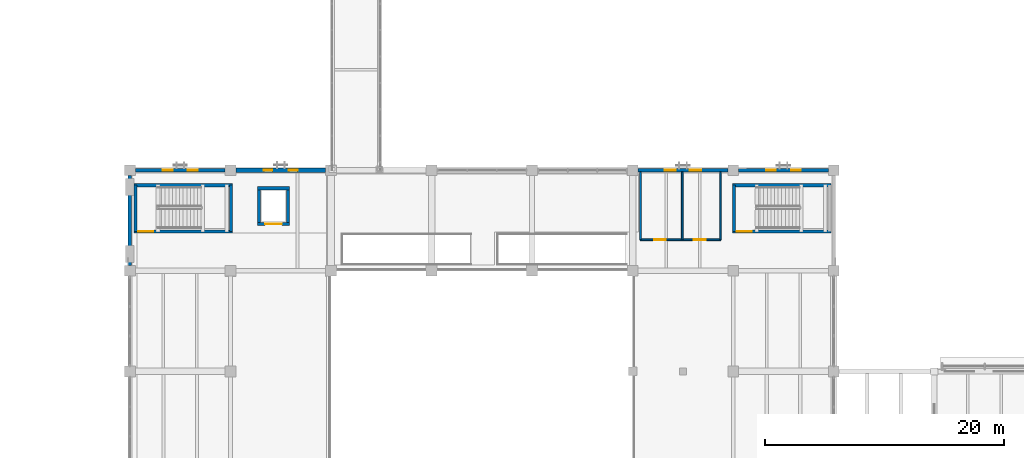
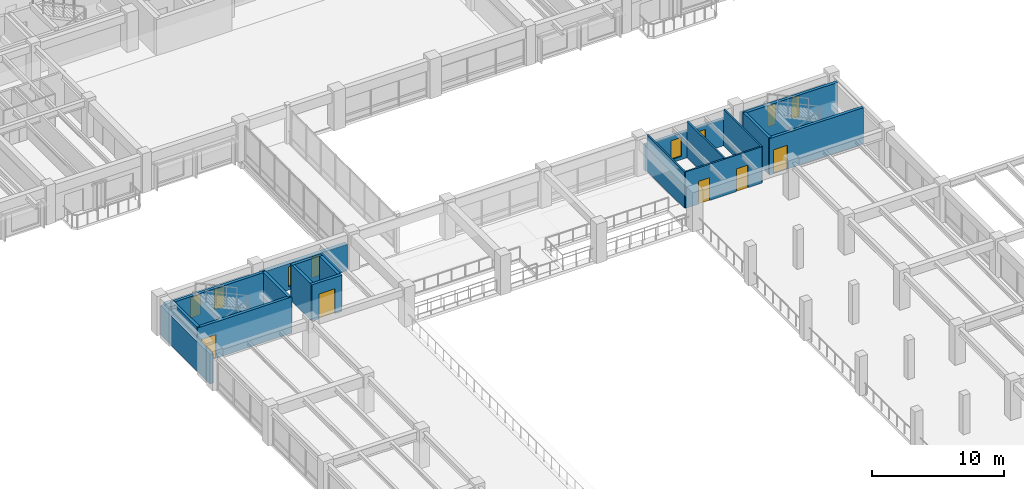
# One storey, part 66 of 118: 20 walls, 8 windows, 5 doors, 13 openings.
"""IFC4 building model written with IfcOpenShell, lengths in metres."""

from ifc_helpers import new_model, si_unit, direction, frame, frame_2d, origin, place, context, subcontext, project, spatial, rectangle, extrude, material, layer, layer_set, type_object, element, fill, save


model = new_model("IFC4")

# Units and contexts
model_context = context("Model", 3, precision=1e-05, world=origin(), true_north=direction((0.0, 1.0)))
body_context = subcontext(model_context, "Body", "Model", "MODEL_VIEW")
ifc_project = project(units=[si_unit("LENGTHUNIT", "METRE"), si_unit("AREAUNIT", "SQUARE_METRE"), si_unit("VOLUMEUNIT", "CUBIC_METRE"), si_unit("PLANEANGLEUNIT", "RADIAN"), si_unit("MASSUNIT", "GRAM", prefix="KILO")], contexts=[model_context])

# Site, building, storey
site_placement = place(None, origin())
site = spatial("IfcSite", under=ifc_project, at=site_placement, CompositionType="ELEMENT")
building_placement = place(site_placement, origin())
building = spatial("IfcBuilding", under=site, at=building_placement, Name="Cumbredor Promenade Congress Hotel", CompositionType="ELEMENT")
storey_placement = place(building_placement, frame((0.0, 0.0, 3.919921875)))
storey = spatial("IfcBuildingStorey", under=building, at=storey_placement, Name="L01", CompositionType="ELEMENT", Elevation=3.919921875)

# Wall, openings, windows
ifc_material_1 = material(Name="Concrete C40/50", Category="concrete")
ifc_layer_1 = layer(ifc_material_1, 0.260009765625, Name="Concrete C40/50", Category="concrete")
ifc_layer_set_1 = layer_set([ifc_layer_1], Name="Concrete C40/50")
wall_type_1 = type_object("IfcWallType", Name="WL-EXT-260", PredefinedType="SOLIDWALL", material=ifc_layer_set_1)
wall_1_placement = place(storey_placement, frame((50.85107421875, 67.199951171875, 0.0), z_axis=(0.0, 0.0, 1.0), x_axis=(1.0, 0.0, 0.0)))
wall_1 = element("IfcWall", 1, at=wall_1_placement, inside=storey, type_object=wall_type_1, Name="L01 Plenary Congress Hall North Envelope Wall 6", PredefinedType="SOLIDWALL", context=body_context, shape_type="SweptSolid", body=[
    extrude(rectangle(XDim=7.498046875, YDim=0.260009765625, at=frame_2d((3.7490234375, 0.0))), origin(), (0.0, 0.0, 1.0), 2.445068359375),
])
opening_1_placement = place(wall_1_placement, frame((2.239013671875, 0.0, 0.300048828125)))
opening_1 = element("IfcOpeningElement", 2, at=opening_1_placement, cuts=wall_1, Name="Opening WN-63", PredefinedType="OPENING", context=body_context, shape_type="SweptSolid", body=[
    extrude(rectangle(XDim=0.919921875, YDim=1.75, at=frame_2d((0.4599609375, 0.875))), frame((0.0, 0.14013671875, 0.0), z_axis=(0.0, -1.0, 0.0), x_axis=(1.0, 0.0, 0.0)), (0.0, 0.0, 1.0), 0.280029296875),
])
opening_2_placement = place(wall_1_placement, frame((4.339111328125, 0.0, 0.300048828125)))
opening_2 = element("IfcOpeningElement", 3, at=opening_2_placement, cuts=wall_1, Name="Opening WN-63", PredefinedType="OPENING", context=body_context, shape_type="SweptSolid", body=[
    extrude(rectangle(XDim=0.919921875, YDim=1.75, at=frame_2d((0.4599609375, 0.875))), frame((0.0, 0.14013671875, 0.0), z_axis=(0.0, -1.0, 0.0), x_axis=(1.0, 0.0, 0.0)), (0.0, 0.0, 1.0), 0.280029296875),
])
ifc_material_2 = material(Name="Thermally broken anodized aluminium and low-E glass", Category="aluminium")
window_type_1 = type_object("IfcWindowType", Name="Vertical Slot Window WN-63 920x1750", PartitioningType="SINGLE_PANEL", PredefinedType="WINDOW", material=ifc_material_2)
window_1_placement = place(opening_1_placement, origin())
window_1 = element("IfcWindow", 4, at=window_1_placement, inside=storey, type_object=window_type_1, Name="L01 Vertical Slot Window 0105", OverallHeight=1.75, OverallWidth=0.919921875, PartitioningType="SINGLE_PANEL", PredefinedType="WINDOW", context=body_context, shape_type="SweptSolid", body=[
    extrude(rectangle(XDim=0.919921875, YDim=1.75, at=frame_2d((0.4599609375, 0.875))), frame((0.0, 0.030029296875, 0.0), z_axis=(0.0, -1.0, 0.0), x_axis=(1.0, 0.0, 0.0)), (0.0, 0.0, 1.0), 0.06005859375),
])
fill(opening_1, window_1)
window_2_placement = place(opening_2_placement, origin())
window_2 = element("IfcWindow", 5, at=window_2_placement, inside=storey, type_object=window_type_1, Name="L01 Vertical Slot Window 0106", OverallHeight=1.75, OverallWidth=0.919921875, PartitioningType="SINGLE_PANEL", PredefinedType="WINDOW", context=body_context, shape_type="SweptSolid", body=[
    extrude(rectangle(XDim=0.919921875, YDim=1.75, at=frame_2d((0.4599609375, 0.875))), frame((0.0, 0.030029296875, 0.0), z_axis=(0.0, -1.0, 0.0), x_axis=(1.0, 0.0, 0.0)), (0.0, 0.0, 1.0), 0.06005859375),
])
fill(opening_2, window_2)

ifc_layer_2 = layer(ifc_material_1, 0.280029296875, Name="Concrete C40/50", Category="concrete")
ifc_layer_set_2 = layer_set([ifc_layer_2], Name="Concrete C40/50")
wall_type_2 = type_object("IfcWallType", Name="WL-EXT-280", PredefinedType="SOLIDWALL", material=ifc_layer_set_2)
wall_2_placement = place(storey_placement, frame((59.2509765625, 67.199951171875, 0.0), z_axis=(0.0, 0.0, 1.0), x_axis=(1.0, 0.0, 0.0)))
wall_2 = element("IfcWall", 6, at=wall_2_placement, inside=storey, type_object=wall_type_2, Name="L01 Plenary Congress Hall North Envelope Wall 7", PredefinedType="SOLIDWALL", context=body_context, shape_type="SweptSolid", body=[
    extrude(rectangle(XDim=7.498046875, YDim=0.280029296875, at=frame_2d((3.7490234375, 0.0))), origin(), (0.0, 0.0, 1.0), 2.445068359375),
])
opening_3_placement = place(wall_2_placement, frame((2.31396484375, 0.0, 0.300048828125)))
opening_3 = element("IfcOpeningElement", 7, at=opening_3_placement, cuts=wall_2, Name="Opening WN-66", PredefinedType="OPENING", context=body_context, shape_type="SweptSolid", body=[
    extrude(rectangle(XDim=0.77001953125, YDim=1.89990234375, at=frame_2d((0.385009765625, 0.949951171875))), frame((0.0, 0.14990234375, 0.0), z_axis=(0.0, -1.0, 0.0), x_axis=(1.0, 0.0, 0.0)), (0.0, 0.0, 1.0), 0.300048828125),
])
opening_4_placement = place(wall_2_placement, frame((4.4140625, 0.0, 0.300048828125)))
opening_4 = element("IfcOpeningElement", 8, at=opening_4_placement, cuts=wall_2, Name="Opening WN-66", PredefinedType="OPENING", context=body_context, shape_type="SweptSolid", body=[
    extrude(rectangle(XDim=0.77001953125, YDim=1.89990234375, at=frame_2d((0.385009765625, 0.949951171875))), frame((0.0, 0.14990234375, 0.0), z_axis=(0.0, -1.0, 0.0), x_axis=(1.0, 0.0, 0.0)), (0.0, 0.0, 1.0), 0.300048828125),
])
window_type_2 = type_object("IfcWindowType", Name="Vertical Slot Window WN-66 770x1900", PartitioningType="SINGLE_PANEL", PredefinedType="WINDOW", material=ifc_material_2)
window_3_placement = place(opening_3_placement, origin())
window_3 = element("IfcWindow", 9, at=window_3_placement, inside=storey, type_object=window_type_2, Name="L01 Vertical Slot Window 0107", OverallHeight=1.89990234375, OverallWidth=0.77001953125, PartitioningType="SINGLE_PANEL", PredefinedType="WINDOW", context=body_context, shape_type="SweptSolid", body=[
    extrude(rectangle(XDim=0.77001953125, YDim=1.89990234375, at=frame_2d((0.385009765625, 0.949951171875))), frame((0.0, 0.030029296875, 0.0), z_axis=(0.0, -1.0, 0.0), x_axis=(1.0, 0.0, 0.0)), (0.0, 0.0, 1.0), 0.06005859375),
])
fill(opening_3, window_3)
window_4_placement = place(opening_4_placement, origin())
window_4 = element("IfcWindow", 10, at=window_4_placement, inside=storey, type_object=window_type_2, Name="L01 Vertical Slot Window 0108", OverallHeight=1.89990234375, OverallWidth=0.77001953125, PartitioningType="SINGLE_PANEL", PredefinedType="WINDOW", context=body_context, shape_type="SweptSolid", body=[
    extrude(rectangle(XDim=0.77001953125, YDim=1.89990234375, at=frame_2d((0.385009765625, 0.949951171875))), frame((0.0, 0.030029296875, 0.0), z_axis=(0.0, -1.0, 0.0), x_axis=(1.0, 0.0, 0.0)), (0.0, 0.0, 1.0), 0.06005859375),
])
fill(opening_4, window_4)

# Wall
wall_3_placement = place(storey_placement, frame((8.39990234375, 59.2509765625, 0.0), z_axis=(0.0, 0.0, 1.0), x_axis=(0.0, 1.0, 0.0)))
element("IfcWall", 11, at=wall_3_placement, inside=storey, type_object=wall_type_2, Name="L01 Plenary Congress Hall West Envelope Wall 7", PredefinedType="SOLIDWALL", context=body_context, shape_type="SweptSolid", body=[
    extrude(rectangle(XDim=7.498046875, YDim=0.280029296875, at=frame_2d((3.7490234375, 0.0))), origin(), (0.0, 0.0, 1.0), 2.734130859375),
])

# Wall, openings, windows
ifc_layer_3 = layer(ifc_material_1, 0.324951171875, Name="Concrete C40/50", Category="concrete")
ifc_layer_set_3 = layer_set([ifc_layer_3], Name="Concrete C40/50")
wall_type_3 = type_object("IfcWallType", Name="WL-EXT-325", PredefinedType="SOLIDWALL", material=ifc_layer_set_3)
wall_4_placement = place(storey_placement, frame((8.85107421875, 67.199951171875, 0.0), z_axis=(0.0, 0.0, 1.0), x_axis=(1.0, 0.0, 0.0)))
wall_4 = element("IfcWall", 12, at=wall_4_placement, inside=storey, type_object=wall_type_3, Name="L01 Plenary Congress Hall North Envelope Wall 1", PredefinedType="SOLIDWALL", context=body_context, shape_type="SweptSolid", body=[
    extrude(rectangle(XDim=7.498046875, YDim=0.324951171875, at=frame_2d((3.7490234375, 0.0))), origin(), (0.0, 0.0, 1.0), 2.445068359375),
])
opening_5_placement = place(wall_4_placement, frame((2.27392578125, 0.0, 0.300048828125)))
opening_5 = element("IfcOpeningElement", 13, at=opening_5_placement, cuts=wall_4, Name="Opening WN-67", PredefinedType="OPENING", context=body_context, shape_type="SweptSolid", body=[
    extrude(rectangle(XDim=0.85009765625, YDim=1.89990234375, at=frame_2d((0.425048828125, 0.949951171875))), frame((0.0, 0.17236328125, 0.0), z_axis=(0.0, -1.0, 0.0), x_axis=(1.0, 0.0, 0.0)), (0.0, 0.0, 1.0), 0.344970703125),
])
opening_6_placement = place(wall_4_placement, frame((4.3740234375, 0.0, 0.300048828125)))
opening_6 = element("IfcOpeningElement", 14, at=opening_6_placement, cuts=wall_4, Name="Opening WN-67", PredefinedType="OPENING", context=body_context, shape_type="SweptSolid", body=[
    extrude(rectangle(XDim=0.85009765625, YDim=1.89990234375, at=frame_2d((0.425048828125, 0.949951171875))), frame((0.0, 0.17236328125, 0.0), z_axis=(0.0, -1.0, 0.0), x_axis=(1.0, 0.0, 0.0)), (0.0, 0.0, 1.0), 0.344970703125),
])
window_type_3 = type_object("IfcWindowType", Name="Vertical Slot Window WN-67 850x1900", PartitioningType="SINGLE_PANEL", PredefinedType="WINDOW", material=ifc_material_2)
window_5_placement = place(opening_5_placement, origin())
window_5 = element("IfcWindow", 15, at=window_5_placement, inside=storey, type_object=window_type_3, Name="L01 Vertical Slot Window 0101", OverallHeight=1.89990234375, OverallWidth=0.85009765625, PartitioningType="SINGLE_PANEL", PredefinedType="WINDOW", context=body_context, shape_type="SweptSolid", body=[
    extrude(rectangle(XDim=0.85009765625, YDim=1.89990234375, at=frame_2d((0.425048828125, 0.949951171875))), frame((0.0, 0.030029296875, 0.0), z_axis=(0.0, -1.0, 0.0), x_axis=(1.0, 0.0, 0.0)), (0.0, 0.0, 1.0), 0.06005859375),
])
fill(opening_5, window_5)
window_6_placement = place(opening_6_placement, origin())
window_6 = element("IfcWindow", 16, at=window_6_placement, inside=storey, type_object=window_type_3, Name="L01 Vertical Slot Window 0102", OverallHeight=1.89990234375, OverallWidth=0.85009765625, PartitioningType="SINGLE_PANEL", PredefinedType="WINDOW", context=body_context, shape_type="SweptSolid", body=[
    extrude(rectangle(XDim=0.85009765625, YDim=1.89990234375, at=frame_2d((0.425048828125, 0.949951171875))), frame((0.0, 0.030029296875, 0.0), z_axis=(0.0, -1.0, 0.0), x_axis=(1.0, 0.0, 0.0)), (0.0, 0.0, 1.0), 0.06005859375),
])
fill(opening_6, window_6)

ifc_layer_4 = layer(ifc_material_1, 0.35009765625, Name="Concrete C40/50", Category="concrete")
ifc_layer_set_4 = layer_set([ifc_layer_4], Name="Concrete C40/50")
wall_type_4 = type_object("IfcWallType", Name="WL-EXT-350", PredefinedType="SOLIDWALL", material=ifc_layer_set_4)
wall_5_placement = place(storey_placement, frame((17.2509765625, 67.199951171875, 0.0), z_axis=(0.0, 0.0, 1.0), x_axis=(1.0, 0.0, 0.0)))
wall_5 = element("IfcWall", 17, at=wall_5_placement, inside=storey, type_object=wall_type_4, Name="L01 Plenary Congress Hall North Envelope Wall 2", PredefinedType="SOLIDWALL", context=body_context, shape_type="SweptSolid", body=[
    extrude(rectangle(XDim=7.498046875, YDim=0.35009765625, at=frame_2d((3.7490234375, 0.0))), origin(), (0.0, 0.0, 1.0), 2.445068359375),
])
opening_7_placement = place(wall_5_placement, frame((2.339111328125, 0.0, 0.300048828125)))
opening_7 = element("IfcOpeningElement", 18, at=opening_7_placement, cuts=wall_5, Name="Opening WN-45", PredefinedType="OPENING", context=body_context, shape_type="SweptSolid", body=[
    extrude(rectangle(XDim=0.719970703125, YDim=1.85009765625, at=frame_2d((0.35986328125, 0.925048828125))), frame((0.0, 0.18505859375, 0.0), z_axis=(0.0, -1.0, 0.0), x_axis=(1.0, 0.0, 0.0)), (0.0, 0.0, 1.0), 0.3701171875),
])
opening_8_placement = place(wall_5_placement, frame((4.43896484375, 0.0, 0.300048828125)))
opening_8 = element("IfcOpeningElement", 19, at=opening_8_placement, cuts=wall_5, Name="Opening WN-45", PredefinedType="OPENING", context=body_context, shape_type="SweptSolid", body=[
    extrude(rectangle(XDim=0.719970703125, YDim=1.85009765625, at=frame_2d((0.35986328125, 0.925048828125))), frame((0.0, 0.18505859375, 0.0), z_axis=(0.0, -1.0, 0.0), x_axis=(1.0, 0.0, 0.0)), (0.0, 0.0, 1.0), 0.3701171875),
])
window_type_4 = type_object("IfcWindowType", Name="Vertical Slot Window WN-45 720x1850", PartitioningType="SINGLE_PANEL", PredefinedType="WINDOW", material=ifc_material_2)
window_7_placement = place(opening_7_placement, origin())
window_7 = element("IfcWindow", 20, at=window_7_placement, inside=storey, type_object=window_type_4, Name="L01 Vertical Slot Window 0103", OverallHeight=1.85009765625, OverallWidth=0.719970703125, PartitioningType="SINGLE_PANEL", PredefinedType="WINDOW", context=body_context, shape_type="SweptSolid", body=[
    extrude(rectangle(XDim=0.719970703125, YDim=1.85009765625, at=frame_2d((0.35986328125, 0.925048828125))), frame((0.0, 0.030029296875, 0.0), z_axis=(0.0, -1.0, 0.0), x_axis=(1.0, 0.0, 0.0)), (0.0, 0.0, 1.0), 0.06005859375),
])
fill(opening_7, window_7)
window_8_placement = place(opening_8_placement, origin())
window_8 = element("IfcWindow", 21, at=window_8_placement, inside=storey, type_object=window_type_4, Name="L01 Vertical Slot Window 0104", OverallHeight=1.85009765625, OverallWidth=0.719970703125, PartitioningType="SINGLE_PANEL", PredefinedType="WINDOW", context=body_context, shape_type="SweptSolid", body=[
    extrude(rectangle(XDim=0.719970703125, YDim=1.85009765625, at=frame_2d((0.35986328125, 0.925048828125))), frame((0.0, 0.030029296875, 0.0), z_axis=(0.0, -1.0, 0.0), x_axis=(1.0, 0.0, 0.0)), (0.0, 0.0, 1.0), 0.06005859375),
])
fill(opening_8, window_8)

# Wall, openings, doors
ifc_material_3 = material(Name="Acoustic gypsum partition on steel studs", Category="steel")
ifc_layer_5 = layer(ifc_material_3, 0.139892578125, Name="Acoustic gypsum partition on steel studs", Category="steel")
ifc_layer_set_5 = layer_set([ifc_layer_5], Name="Acoustic gypsum partition on steel studs")
wall_type_5 = type_object("IfcWallType", Name="WL-PART-140", PredefinedType="PARTITIONING", material=ifc_layer_set_5)
wall_6_placement = place(storey_placement, frame((51.050048828125, 61.39990234375, 0.0), z_axis=(0.0, 0.0, 1.0), x_axis=(1.0, 0.0, 0.0)))
wall_6 = element("IfcWall", 22, at=wall_6_placement, inside=storey, type_object=wall_type_5, Name="L01 Interior Partition W-L01-V1-WC", PredefinedType="PARTITIONING", context=body_context, shape_type="SweptSolid", body=[
    extrude(rectangle(XDim=6.699951171875, YDim=0.139892578125, at=frame_2d((3.35009765625, 0.0))), origin(), (0.0, 0.0, 1.0), 3.360107421875),
])
opening_9_placement = place(wall_6_placement, frame((1.14990234375, 0.0, 0.0)))
opening_9 = element("IfcOpeningElement", 23, at=opening_9_placement, cuts=wall_6, Name="Opening ID-02", PredefinedType="OPENING", context=body_context, shape_type="SweptSolid", body=[
    extrude(rectangle(XDim=0.949951171875, YDim=2.10009765625, at=frame_2d((0.47509765625, 1.050048828125))), frame((0.0, 0.080078125, 0.0), z_axis=(0.0, -1.0, 0.0), x_axis=(1.0, 0.0, 0.0)), (0.0, 0.0, 1.0), 0.159912109375),
])
opening_10_placement = place(wall_6_placement, frame((4.449951171875, 0.0, 0.0)))
opening_10 = element("IfcOpeningElement", 24, at=opening_10_placement, cuts=wall_6, Name="Opening ID-03", PredefinedType="OPENING", context=body_context, shape_type="SweptSolid", body=[
    extrude(rectangle(XDim=1.0, YDim=2.10009765625, at=frame_2d((0.5, 1.050048828125))), frame((0.0, 0.080078125, 0.0), z_axis=(0.0, -1.0, 0.0), x_axis=(1.0, 0.0, 0.0)), (0.0, 0.0, 1.0), 0.159912109375),
])
ifc_material_4 = material(Name="Kiln-dried tropical hardwood", Category="wood")
door_type_1 = type_object("IfcDoorType", Name="DR-ACC-1000", OperationType="NOTDEFINED", PredefinedType="DOOR", material=ifc_material_4)
door_1_placement = place(opening_10_placement, origin())
door_1 = element("IfcDoor", 25, at=door_1_placement, inside=storey, type_object=door_type_1, Name="L01 Interior Door W-L01-V1-WC-02", OperationType="SINGLE_SWING_LEFT", OverallHeight=2.10009765625, OverallWidth=1.0, PredefinedType="DOOR", context=body_context, shape_type="SweptSolid", body=[
    extrude(rectangle(XDim=1.0, YDim=2.10009765625, at=frame_2d((0.5, 1.050048828125))), frame((0.0, 0.02490234375, 0.0), z_axis=(0.0, -1.0, 0.0), x_axis=(1.0, 0.0, 0.0)), (0.0, 0.0, 1.0), 0.050048828125),
])
fill(opening_10, door_1)
door_type_2 = type_object("IfcDoorType", Name="DR-INT-950", OperationType="NOTDEFINED", PredefinedType="DOOR", material=ifc_material_4)
door_2_placement = place(opening_9_placement, origin())
door_2 = element("IfcDoor", 26, at=door_2_placement, inside=storey, type_object=door_type_2, Name="L01 Interior Door W-L01-V1-WC-01", OperationType="SINGLE_SWING_RIGHT", OverallHeight=2.10009765625, OverallWidth=0.949951171875, PredefinedType="DOOR", context=body_context, shape_type="SweptSolid", body=[
    extrude(rectangle(XDim=0.949951171875, YDim=2.10009765625, at=frame_2d((0.47509765625, 1.050048828125))), frame((0.0, 0.02490234375, 0.0), z_axis=(0.0, -1.0, 0.0), x_axis=(1.0, 0.0, 0.0)), (0.0, 0.0, 1.0), 0.050048828125),
])
fill(opening_9, door_2)

# Walls
for number, where, z_axis, x_axis, name in (
    (27, (51.050048828125, 61.39990234375, 0.0), (0.0, 0.0, 1.0), (0.0, 1.0, 0.0), "L01 Interior Partition W-L01-V1-WC-W"),
    (28, (54.550048828125, 61.39990234375, 0.0), (0.0, 0.0, 1.0), (0.0, 1.0, 0.0), "L01 Interior Partition W-L01-V1-WC-M"),
    (29, (57.75, 61.39990234375, 0.0), (0.0, 0.0, 1.0), (0.0, 1.0, 0.0), "L01 Interior Partition W-L01-V1-WC-E"),
):
    element("IfcWall", number, at=place(storey_placement, frame(where, z_axis=z_axis, x_axis=x_axis)), inside=storey, type_object=wall_type_5, Name=name, PredefinedType="PARTITIONING", context=body_context, shape_type="SweptSolid", body=[
        extrude(rectangle(XDim=5.670166015625, YDim=0.139892578125, at=frame_2d((2.8349609375, 0.0))), origin(), (0.0, 0.0, 1.0), 3.360107421875),
    ])

# Wall, opening, door
ifc_layer_6 = layer(ifc_material_1, 0.2548828125, Name="Concrete C40/50", Category="concrete")
ifc_layer_set_6 = layer_set([ifc_layer_6], Name="Concrete C40/50")
wall_type_6 = type_object("IfcWallType", Name="WL-SHAFT-250", PredefinedType="SOLIDWALL", material=ifc_layer_set_6)
wall_7_placement = place(storey_placement, frame((8.75244140625, 62.10009765625, 0.0), z_axis=(0.0, 0.0, 1.0), x_axis=(1.0, 0.0, 0.0)))
wall_7 = element("IfcWall", 30, at=wall_7_placement, inside=storey, type_object=wall_type_6, Name="STAIR-ST-06-L01 Shaft Wall South", PredefinedType="SOLIDWALL", context=body_context, shape_type="SweptSolid", body=[
    extrude(rectangle(XDim=8.22509765625, YDim=0.2548828125, at=frame_2d((4.112548828125, 0.0))), origin(), (0.0, 0.0, 1.0), 3.360107421875),
])
opening_11_placement = place(wall_7_placement, frame((0.35009765625, 0.0, 0.0)))
opening_11 = element("IfcOpeningElement", 31, at=opening_11_placement, cuts=wall_7, Name="Opening SD-02", PredefinedType="OPENING", context=body_context, shape_type="SweptSolid", body=[
    extrude(rectangle(XDim=1.25, YDim=2.199951171875, at=frame_2d((0.625, 1.10009765625))), frame((0.0, 0.137451171875, 0.0), z_axis=(0.0, -1.0, 0.0), x_axis=(1.0, 0.0, 0.0)), (0.0, 0.0, 1.0), 0.27490234375),
])
ifc_material_5 = material(Name="Painted galvanized steel fire door", Category="steel")
door_type_3 = type_object("IfcDoorType", Name="DR-STAIR-FD90-1250", OperationType="NOTDEFINED", PredefinedType="DOOR", material=ifc_material_5)
door_3_placement = place(opening_11_placement, origin())
door_3 = element("IfcDoor", 32, at=door_3_placement, inside=storey, type_object=door_type_3, Name="L01 Protected Exit Stair ST-06 Door", OperationType="SINGLE_SWING_RIGHT", OverallHeight=2.199951171875, OverallWidth=1.25, PredefinedType="DOOR", context=body_context, shape_type="SweptSolid", body=[
    extrude(rectangle(XDim=1.25, YDim=2.199951171875, at=frame_2d((0.625, 1.10009765625))), frame((0.0, 0.02490234375, 0.0), z_axis=(0.0, -1.0, 0.0), x_axis=(1.0, 0.0, 0.0)), (0.0, 0.0, 1.0), 0.050048828125),
])
fill(opening_11, door_3)

# Walls
wall_8_placement = place(storey_placement, frame((8.75244140625, 65.949951171875, 0.0), z_axis=(0.0, 0.0, 1.0), x_axis=(1.0, 0.0, 0.0)))
element("IfcWall", 33, at=wall_8_placement, inside=storey, type_object=wall_type_6, Name="STAIR-ST-06-L01 Shaft Wall North", PredefinedType="SOLIDWALL", context=body_context, shape_type="SweptSolid", body=[
    extrude(rectangle(XDim=8.22509765625, YDim=0.2548828125, at=frame_2d((4.112548828125, 0.0))), origin(), (0.0, 0.0, 1.0), 3.360107421875),
])
for number, where, z_axis, x_axis, name in (
    (34, (8.8798828125, 62.10009765625, 0.0), (0.0, 0.0, 1.0), (0.0, 1.0, 0.0), "STAIR-ST-06-L01 Shaft Wall West"),
    (35, (16.85009765625, 62.10009765625, 0.0), (0.0, 0.0, 1.0), (0.0, 1.0, 0.0), "STAIR-ST-06-L01 Shaft Wall East"),
):
    element("IfcWall", number, at=place(storey_placement, frame(where, z_axis=z_axis, x_axis=x_axis)), inside=storey, type_object=wall_type_6, Name=name, PredefinedType="SOLIDWALL", context=body_context, shape_type="SweptSolid", body=[
        extrude(rectangle(XDim=3.849853515625, YDim=0.2548828125, at=frame_2d((1.9248046875, 0.0))), origin(), (0.0, 0.0, 1.0), 3.360107421875),
    ])

# Wall, opening, door
wall_9_placement = place(storey_placement, frame((58.75244140625, 62.10009765625, 0.0), z_axis=(0.0, 0.0, 1.0), x_axis=(1.0, 0.0, 0.0)))
wall_9 = element("IfcWall", 36, at=wall_9_placement, inside=storey, type_object=wall_type_6, Name="STAIR-ST-07-L01 Shaft Wall South", PredefinedType="SOLIDWALL", context=body_context, shape_type="SweptSolid", body=[
    extrude(rectangle(XDim=8.22509765625, YDim=0.2548828125, at=frame_2d((4.112548828125, 0.0))), origin(), (0.0, 0.0, 1.0), 3.360107421875),
])
opening_12_placement = place(wall_9_placement, frame((0.35009765625, 0.0, 0.0)))
opening_12 = element("IfcOpeningElement", 37, at=opening_12_placement, cuts=wall_9, Name="Opening SD-02", PredefinedType="OPENING", context=body_context, shape_type="SweptSolid", body=[
    extrude(rectangle(XDim=1.25, YDim=2.199951171875, at=frame_2d((0.625, 1.10009765625))), frame((0.0, 0.137451171875, 0.0), z_axis=(0.0, -1.0, 0.0), x_axis=(1.0, 0.0, 0.0)), (0.0, 0.0, 1.0), 0.27490234375),
])
door_4_placement = place(opening_12_placement, origin())
door_4 = element("IfcDoor", 38, at=door_4_placement, inside=storey, type_object=door_type_3, Name="L01 Protected Exit Stair ST-07 Door", OperationType="SINGLE_SWING_RIGHT", OverallHeight=2.199951171875, OverallWidth=1.25, PredefinedType="DOOR", context=body_context, shape_type="SweptSolid", body=[
    extrude(rectangle(XDim=1.25, YDim=2.199951171875, at=frame_2d((0.625, 1.10009765625))), frame((0.0, 0.02490234375, 0.0), z_axis=(0.0, -1.0, 0.0), x_axis=(1.0, 0.0, 0.0)), (0.0, 0.0, 1.0), 0.050048828125),
])
fill(opening_12, door_4)

# Walls
wall_10_placement = place(storey_placement, frame((58.75244140625, 65.949951171875, 0.0), z_axis=(0.0, 0.0, 1.0), x_axis=(1.0, 0.0, 0.0)))
element("IfcWall", 39, at=wall_10_placement, inside=storey, type_object=wall_type_6, Name="STAIR-ST-07-L01 Shaft Wall North", PredefinedType="SOLIDWALL", context=body_context, shape_type="SweptSolid", body=[
    extrude(rectangle(XDim=8.22509765625, YDim=0.2548828125, at=frame_2d((4.112548828125, 0.0))), origin(), (0.0, 0.0, 1.0), 3.360107421875),
])
wall_11_placement = place(storey_placement, frame((58.8798828125, 62.10009765625, 0.0), z_axis=(0.0, 0.0, 1.0), x_axis=(0.0, 1.0, 0.0)))
element("IfcWall", 40, at=wall_11_placement, inside=storey, type_object=wall_type_6, Name="STAIR-ST-07-L01 Shaft Wall West", PredefinedType="SOLIDWALL", context=body_context, shape_type="SweptSolid", body=[
    extrude(rectangle(XDim=3.849853515625, YDim=0.2548828125, at=frame_2d((1.9248046875, 0.0))), origin(), (0.0, 0.0, 1.0), 3.360107421875),
])

# Wall, opening, door
wall_12_placement = place(storey_placement, frame((19.072509765625, 62.699951171875, 0.0), z_axis=(0.0, 0.0, 1.0), x_axis=(1.0, 0.0, 0.0)))
wall_12 = element("IfcWall", 41, at=wall_12_placement, inside=storey, type_object=wall_type_6, Name="SHAFT-SV-01-L01 Shaft Wall South", PredefinedType="SOLIDWALL", context=body_context, shape_type="SweptSolid", body=[
    extrude(rectangle(XDim=2.655029296875, YDim=0.2548828125, at=frame_2d((1.32763671875, 0.0))), origin(), (0.0, 0.0, 1.0), 3.360107421875),
])
opening_13_placement = place(wall_12_placement, frame((0.62744140625, 0.0, 0.0)))
opening_13 = element("IfcOpeningElement", 42, at=opening_13_placement, cuts=wall_12, Name="Opening LD-03", PredefinedType="OPENING", context=body_context, shape_type="SweptSolid", body=[
    extrude(rectangle(XDim=1.39990234375, YDim=2.300048828125, at=frame_2d((0.699951171875, 1.14990234375))), frame((0.0, 0.137451171875, 0.0), z_axis=(0.0, -1.0, 0.0), x_axis=(1.0, 0.0, 0.0)), (0.0, 0.0, 1.0), 0.27490234375),
])
ifc_material_6 = material(Name="Brushed stainless steel", Category="steel")
door_type_4 = type_object("IfcDoorType", Name="Service Lift Sliding Door LD-03 1400x2300", OperationType="DOUBLE_DOOR_SLIDING", PredefinedType="DOOR", material=ifc_material_6)
door_5_placement = place(opening_13_placement, origin())
door_5 = element("IfcDoor", 43, at=door_5_placement, inside=storey, type_object=door_type_4, Name="L01 Plenary Stage Goods Lift SV-01 Sliding Landing Door", OperationType="DOUBLE_DOOR_SLIDING", OverallHeight=2.300048828125, OverallWidth=1.39990234375, PredefinedType="DOOR", context=body_context, shape_type="SweptSolid", body=[
    extrude(rectangle(XDim=1.39990234375, YDim=2.300048828125, at=frame_2d((0.699951171875, 1.14990234375))), frame((0.0, 0.02490234375, 0.0), z_axis=(0.0, -1.0, 0.0), x_axis=(1.0, 0.0, 0.0)), (0.0, 0.0, 1.0), 0.050048828125),
])
fill(opening_13, door_5)

# Walls
wall_13_placement = place(storey_placement, frame((19.072509765625, 65.699951171875, 0.0), z_axis=(0.0, 0.0, 1.0), x_axis=(1.0, 0.0, 0.0)))
element("IfcWall", 44, at=wall_13_placement, inside=storey, type_object=wall_type_6, Name="SHAFT-SV-01-L01 Shaft Wall North", PredefinedType="SOLIDWALL", context=body_context, shape_type="SweptSolid", body=[
    extrude(rectangle(XDim=2.655029296875, YDim=0.2548828125, at=frame_2d((1.32763671875, 0.0))), origin(), (0.0, 0.0, 1.0), 3.360107421875),
])
for number, where, z_axis, x_axis, name in (
    (45, (19.199951171875, 62.699951171875, 0.0), (0.0, 0.0, 1.0), (0.0, 1.0, 0.0), "SHAFT-SV-01-L01 Shaft Wall West"),
    (46, (21.60009765625, 62.699951171875, 0.0), (0.0, 0.0, 1.0), (0.0, 1.0, 0.0), "SHAFT-SV-01-L01 Shaft Wall East"),
):
    element("IfcWall", number, at=place(storey_placement, frame(where, z_axis=z_axis, x_axis=x_axis)), inside=storey, type_object=wall_type_6, Name=name, PredefinedType="SOLIDWALL", context=body_context, shape_type="SweptSolid", body=[
        extrude(rectangle(XDim=3.0, YDim=0.2548828125, at=frame_2d((1.5, 0.0))), origin(), (0.0, 0.0, 1.0), 3.360107421875),
    ])

save(model, "model.ifc")
